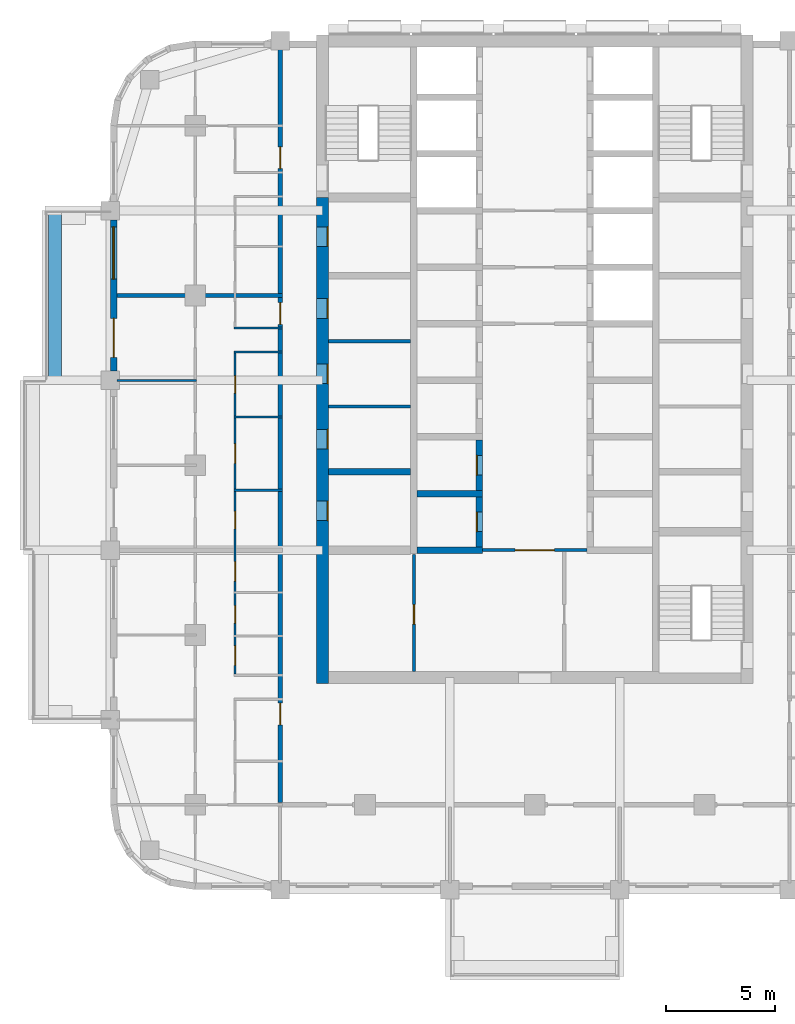
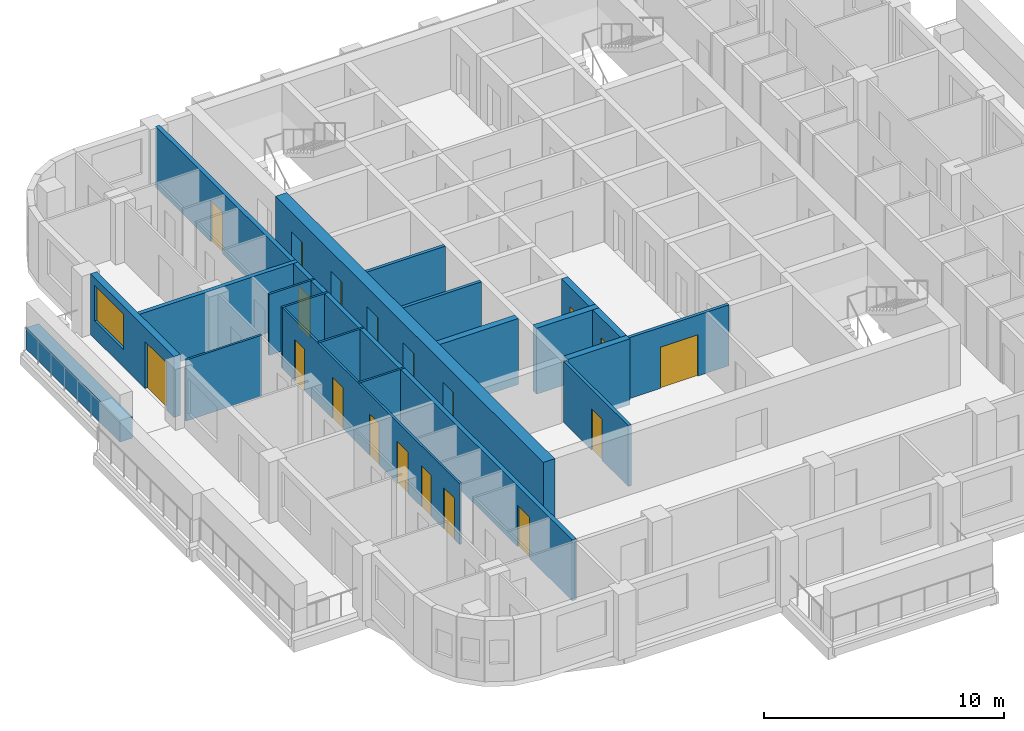
# One storey, part 4 of 14: 20 walls, 19 doors, 1 window, 20 openings.
"""IFC4 building model written with IfcOpenShell, lengths in metres."""

from ifc_helpers import new_model, si_unit, direction, frame, frame_2d, origin, place, context, subcontext, project, spatial, rectangle, extrude, material, layer, layer_set, type_object, element, fill, save


model = new_model("IFC4")

# Units and contexts
model_context = context("Model", 3, precision=1e-05, world=origin(), true_north=direction((0.0, 1.0)))
body_context = subcontext(model_context, "Body", "Model", "MODEL_VIEW")
ifc_project = project(units=[si_unit("LENGTHUNIT", "METRE"), si_unit("AREAUNIT", "SQUARE_METRE"), si_unit("VOLUMEUNIT", "CUBIC_METRE"), si_unit("PLANEANGLEUNIT", "RADIAN"), si_unit("MASSUNIT", "GRAM", prefix="KILO")], contexts=[model_context])

# Site, building, storey
site_placement = place(None, origin())
site = spatial("IfcSite", under=ifc_project, at=site_placement, CompositionType="ELEMENT")
building_placement = place(site_placement, origin())
building = spatial("IfcBuilding", under=site, at=building_placement, Name="Ludao Terraces", CompositionType="ELEMENT")
storey_placement = place(building_placement, frame((0.0, 0.0, 140.699951171875)))
storey = spatial("IfcBuildingStorey", under=building, at=storey_placement, Name="L38", CompositionType="ELEMENT", Elevation=140.699951171875)

# Wall, openings, doors
ifc_material_1 = material(Name="Concrete C60", Category="concrete")
ifc_layer_1 = layer(ifc_material_1, 0.550048828125)
ifc_layer_set_1 = layer_set([ifc_layer_1], Name="Core wall 550 C60")
wall_type_1 = type_object("IfcWallType", Name="Core wall 550 C60", PredefinedType="SOLIDWALL", material=ifc_layer_set_1)
wall_1_placement = place(storey_placement, frame((75.25, 54.97509765625, -0.25), z_axis=(0.0, 0.0, 1.0), x_axis=(0.0, 1.0, 0.0)))
wall_1 = element("IfcWall", 1, at=wall_1_placement, inside=storey, type_object=wall_type_1, Name="Core wall L38 outer-W", PredefinedType="SOLIDWALL", context=body_context, shape_type="SweptSolid", body=[
    extrude(rectangle(XDim=22.324951171875, YDim=0.550048828125, at=frame_2d((11.16259765625, 0.0))), origin(), (0.0, 0.0, 1.0), 3.35009765625),
])
opening_1_placement = place(wall_1_placement, frame((7.47509765625, 0.0, 0.25)))
opening_1 = element("IfcOpeningElement", 2, at=opening_1_placement, cuts=wall_1, Name="Opening R13-035", PredefinedType="OPENING", context=body_context, shape_type="SweptSolid", body=[
    extrude(rectangle(XDim=0.89990234375, YDim=2.10009765625, at=frame_2d((0.449951171875, 1.050048828125))), frame((0.0, 0.28515625, 0.0), z_axis=(0.0, -1.0, 0.0), x_axis=(1.0, 0.0, 0.0)), (0.0, 0.0, 1.0), 0.570068359375),
])
opening_2_placement = place(wall_1_placement, frame((10.77490234375, 0.0, 0.25)))
opening_2 = element("IfcOpeningElement", 3, at=opening_2_placement, cuts=wall_1, Name="Opening R13-043", PredefinedType="OPENING", context=body_context, shape_type="SweptSolid", body=[
    extrude(rectangle(XDim=0.89990234375, YDim=2.10009765625, at=frame_2d((0.449951171875, 1.050048828125))), frame((0.0, 0.28515625, 0.0), z_axis=(0.0, -1.0, 0.0), x_axis=(1.0, 0.0, 0.0)), (0.0, 0.0, 1.0), 0.570068359375),
])
opening_3_placement = place(wall_1_placement, frame((13.77490234375, 0.0, 0.25)))
opening_3 = element("IfcOpeningElement", 4, at=opening_3_placement, cuts=wall_1, Name="Opening R13-051", PredefinedType="OPENING", context=body_context, shape_type="SweptSolid", body=[
    extrude(rectangle(XDim=0.89990234375, YDim=2.10009765625, at=frame_2d((0.449951171875, 1.050048828125))), frame((0.0, 0.28515625, 0.0), z_axis=(0.0, -1.0, 0.0), x_axis=(1.0, 0.0, 0.0)), (0.0, 0.0, 1.0), 0.570068359375),
])
opening_4_placement = place(wall_1_placement, frame((16.77490234375, 0.0, 0.25)))
opening_4 = element("IfcOpeningElement", 5, at=opening_4_placement, cuts=wall_1, Name="Opening R13-062", PredefinedType="OPENING", context=body_context, shape_type="SweptSolid", body=[
    extrude(rectangle(XDim=0.89990234375, YDim=2.10009765625, at=frame_2d((0.449951171875, 1.050048828125))), frame((0.0, 0.28515625, 0.0), z_axis=(0.0, -1.0, 0.0), x_axis=(1.0, 0.0, 0.0)), (0.0, 0.0, 1.0), 0.570068359375),
])
opening_5_placement = place(wall_1_placement, frame((20.074951171875, 0.0, 0.25)))
opening_5 = element("IfcOpeningElement", 6, at=opening_5_placement, cuts=wall_1, Name="Opening R13-073", PredefinedType="OPENING", context=body_context, shape_type="SweptSolid", body=[
    extrude(rectangle(XDim=0.89990234375, YDim=2.10009765625, at=frame_2d((0.449951171875, 1.050048828125))), frame((0.0, 0.28515625, 0.0), z_axis=(0.0, -1.0, 0.0), x_axis=(1.0, 0.0, 0.0)), (0.0, 0.0, 1.0), 0.570068359375),
])
ifc_material_2 = material(Name="Steel Q235", Category="steel")
door_type_1 = type_object("IfcDoorType", Name="INT Riser door 900", OperationType="SINGLE_SWING_LEFT", PredefinedType="DOOR", material=ifc_material_2)
door_1_placement = place(opening_1_placement, origin())
door_1 = element("IfcDoor", 7, at=door_1_placement, inside=storey, type_object=door_type_1, Name="DOOR 035", OperationType="SINGLE_SWING_RIGHT", OverallHeight=2.10009765625, OverallWidth=0.89990234375, PredefinedType="DOOR", context=body_context, shape_type="SweptSolid", body=[
    extrude(rectangle(XDim=0.89990234375, YDim=2.10009765625, at=frame_2d((0.449951171875, 1.050048828125))), frame((0.0, -0.2099609375, 0.0), z_axis=(0.0, -1.0, 0.0), x_axis=(1.0, 0.0, 0.0)), (0.0, 0.0, 1.0), 0.050048828125),
])
fill(opening_1, door_1)
door_2_placement = place(opening_5_placement, origin())
door_2 = element("IfcDoor", 8, at=door_2_placement, inside=storey, type_object=door_type_1, Name="DOOR 073", OperationType="SINGLE_SWING_RIGHT", OverallHeight=2.10009765625, OverallWidth=0.89990234375, PredefinedType="DOOR", context=body_context, shape_type="SweptSolid", body=[
    extrude(rectangle(XDim=0.89990234375, YDim=2.10009765625, at=frame_2d((0.449951171875, 1.050048828125))), frame((0.0, -0.2099609375, 0.0), z_axis=(0.0, -1.0, 0.0), x_axis=(1.0, 0.0, 0.0)), (0.0, 0.0, 1.0), 0.050048828125),
])
fill(opening_5, door_2)
ifc_material_3 = material(Name="Timber door leaf", Category="wood")
door_type_2 = type_object("IfcDoorType", Name="INT Room door 900", OperationType="SINGLE_SWING_LEFT", PredefinedType="DOOR", material=ifc_material_3)
door_3_placement = place(opening_2_placement, origin())
door_3 = element("IfcDoor", 9, at=door_3_placement, inside=storey, type_object=door_type_2, Name="DOOR 043", OperationType="SINGLE_SWING_RIGHT", OverallHeight=2.10009765625, OverallWidth=0.89990234375, PredefinedType="DOOR", context=body_context, shape_type="SweptSolid", body=[
    extrude(rectangle(XDim=0.89990234375, YDim=2.10009765625, at=frame_2d((0.449951171875, 1.050048828125))), frame((0.0, -0.2099609375, 0.0), z_axis=(0.0, -1.0, 0.0), x_axis=(1.0, 0.0, 0.0)), (0.0, 0.0, 1.0), 0.050048828125),
])
fill(opening_2, door_3)
door_4_placement = place(opening_3_placement, origin())
door_4 = element("IfcDoor", 10, at=door_4_placement, inside=storey, type_object=door_type_2, Name="DOOR 051", OperationType="SINGLE_SWING_RIGHT", OverallHeight=2.10009765625, OverallWidth=0.89990234375, PredefinedType="DOOR", context=body_context, shape_type="SweptSolid", body=[
    extrude(rectangle(XDim=0.89990234375, YDim=2.10009765625, at=frame_2d((0.449951171875, 1.050048828125))), frame((0.0, -0.2099609375, 0.0), z_axis=(0.0, -1.0, 0.0), x_axis=(1.0, 0.0, 0.0)), (0.0, 0.0, 1.0), 0.050048828125),
])
fill(opening_3, door_4)
door_5_placement = place(opening_4_placement, origin())
door_5 = element("IfcDoor", 11, at=door_5_placement, inside=storey, type_object=door_type_2, Name="DOOR 062", OperationType="SINGLE_SWING_LEFT", OverallHeight=2.10009765625, OverallWidth=0.89990234375, PredefinedType="DOOR", context=body_context, shape_type="SweptSolid", body=[
    extrude(rectangle(XDim=0.89990234375, YDim=2.10009765625, at=frame_2d((0.449951171875, 1.050048828125))), frame((0.0, -0.2099609375, 0.0), z_axis=(0.0, -1.0, 0.0), x_axis=(1.0, 0.0, 0.0)), (0.0, 0.0, 1.0), 0.050048828125),
])
fill(opening_4, door_5)

# Wall
ifc_material_4 = material(Name="Concrete C40", Category="concrete")
ifc_layer_2 = layer(ifc_material_4, 0.60009765625)
ifc_layer_set_2 = layer_set([ifc_layer_2], Name="ENV Planter trough 600")
wall_type_2 = type_object("IfcWallType", Name="ENV Planter trough 600", PredefinedType="USERDEFINED", material=ifc_layer_set_2)
wall_2_placement = place(storey_placement, frame((62.949951171875, 68.89990234375, 0.0), z_axis=(0.0, 0.0, 1.0), x_axis=(0.0, 1.0, 0.0)))
element("IfcWall", 12, at=wall_2_placement, inside=storey, type_object=wall_type_2, Name="PL-L38-W3", ObjectType="PLANTER", PredefinedType="USERDEFINED", context=body_context, shape_type="SweptSolid", body=[
    extrude(rectangle(XDim=7.800048828125, YDim=0.60009765625, at=frame_2d((3.89990234375, 0.0))), origin(), (0.0, 0.0, 1.0), 1.10009765625),
])

# Wall, openings, door, window
ifc_material_5 = material(Name="Granite cladding", Category="masonry")
ifc_layer_3 = layer(ifc_material_5, 0.0400390625, Category="stone")
ifc_material_6 = material(Name="Mineral wool")
ifc_layer_4 = layer(ifc_material_6, 0.06005859375)
ifc_layer_5 = layer(ifc_material_4, 0.199951171875, Category="concrete")
ifc_layer_set_3 = layer_set([ifc_layer_3, ifc_layer_4, ifc_layer_5], Name="ENV Stone-clad wall 300")
wall_type_3 = type_object("IfcWallType", Name="ENV Stone-clad wall 300", PredefinedType="SOLIDWALL", material=ifc_layer_set_3)
wall_3_placement = place(storey_placement, frame((65.64990234375, 69.324951171875, 0.0), z_axis=(0.0, 0.0, 1.0), x_axis=(0.0, 1.0, 0.0)))
wall_3 = element("IfcWall", 13, at=wall_3_placement, inside=storey, type_object=wall_type_3, Name="EW-L38-W4", PredefinedType="SOLIDWALL", context=body_context, shape_type="SweptSolid", body=[
    extrude(rectangle(XDim=6.949951171875, YDim=0.300048828125, at=frame_2d((3.47509765625, 0.0))), origin(), (0.0, 0.0, 1.0), 3.10009765625),
])
opening_6_placement = place(wall_3_placement, frame((0.625, 0.0, 0.0)))
opening_6 = element("IfcOpeningElement", 14, at=opening_6_placement, cuts=wall_3, Name="Opening BD", PredefinedType="OPENING", context=body_context, shape_type="SweptSolid", body=[
    extrude(rectangle(XDim=1.800048828125, YDim=2.39990234375, at=frame_2d((0.89990234375, 1.199951171875))), frame((0.0, 0.16015625, 0.0), z_axis=(0.0, -1.0, 0.0), x_axis=(1.0, 0.0, 0.0)), (0.0, 0.0, 1.0), 0.320068359375),
])
opening_7_placement = place(wall_3_placement, frame((4.22509765625, 0.0, 0.89990234375)))
opening_7 = element("IfcOpeningElement", 15, at=opening_7_placement, cuts=wall_3, Name="Opening W1", PredefinedType="OPENING", context=body_context, shape_type="SweptSolid", body=[
    extrude(rectangle(XDim=2.39990234375, YDim=1.800048828125, at=frame_2d((1.199951171875, 0.89990234375))), frame((0.0, 0.16015625, 0.0), z_axis=(0.0, -1.0, 0.0), x_axis=(1.0, 0.0, 0.0)), (0.0, 0.0, 1.0), 0.320068359375),
])
ifc_material_7 = material(Name="Aluminium glazed door", Category="aluminium")
ifc_layer_6 = layer(ifc_material_7, 0.06005859375)
ifc_layer_set_4 = layer_set([ifc_layer_6], Name="ENV Balcony door BD 1800x2400")
door_type_3 = type_object("IfcDoorType", Name="ENV Balcony door BD 1800x2400", OperationType="DOUBLE_DOOR_SINGLE_SWING", PredefinedType="DOOR", material=ifc_layer_set_4)
door_6_placement = place(opening_6_placement, origin())
door_6 = element("IfcDoor", 16, at=door_6_placement, inside=storey, type_object=door_type_3, Name="BD-L38-W4-1", OperationType="DOUBLE_DOOR_SINGLE_SWING", OverallHeight=2.39990234375, OverallWidth=1.800048828125, PredefinedType="DOOR", context=body_context, shape_type="SweptSolid", body=[
    extrude(rectangle(XDim=1.800048828125, YDim=2.39990234375, at=frame_2d((0.89990234375, 1.199951171875))), frame((0.0, 0.02490234375, 0.0), z_axis=(0.0, -1.0, 0.0), x_axis=(1.0, 0.0, 0.0)), (0.0, 0.0, 1.0), 0.050048828125),
])
fill(opening_6, door_6)
ifc_material_8 = material(Name="Clear glass in aluminium frame", Category="aluminium")
ifc_layer_7 = layer(ifc_material_8, 0.06005859375)
ifc_layer_set_5 = layer_set([ifc_layer_7], Name="ENV Window W1 2400x1800")
window_type = type_object("IfcWindowType", Name="ENV Window W1 2400x1800", PartitioningType="DOUBLE_PANEL_VERTICAL", PredefinedType="WINDOW", material=ifc_layer_set_5)
window_placement = place(opening_7_placement, origin())
window = element("IfcWindow", 17, at=window_placement, inside=storey, type_object=window_type, Name="W-L38-W4-2", OverallHeight=1.800048828125, OverallWidth=2.39990234375, PartitioningType="DOUBLE_PANEL_VERTICAL", PredefinedType="WINDOW", context=body_context, shape_type="SweptSolid", body=[
    extrude(rectangle(XDim=2.39990234375, YDim=1.800048828125, at=frame_2d((1.199951171875, 0.89990234375))), frame((0.0, 0.030029296875, 0.0), z_axis=(0.0, -1.0, 0.0), x_axis=(1.0, 0.0, 0.0)), (0.0, 0.0, 1.0), 0.06005859375),
])
fill(opening_7, window)

# Wall, opening, door
ifc_material_9 = material(Name="Fire-rated gypsum plasterboard", Category="gypsum")
ifc_layer_8 = layer(ifc_material_9, 0.012451171875, Category="gypsum")
ifc_layer_9 = layer(ifc_material_6, 0.10009765625, Name="insulation")
ifc_layer_10 = layer(ifc_material_2, 0.02490234375, Name="stud")
ifc_layer_11 = layer(ifc_material_9, 0.012451171875, Category="gypsum")
ifc_layer_set_6 = layer_set([ifc_layer_8, ifc_layer_9, ifc_layer_10, ifc_layer_11], Name="INT Core partition 150")
wall_type_4 = type_object("IfcWallType", Name="INT Core partition 150", PredefinedType="PARTITIONING", material=ifc_layer_set_6)
wall_4_placement = place(storey_placement, frame((82.60009765625, 61.10009765625, 0.0), z_axis=(0.0, 0.0, 1.0), x_axis=(1.0, 0.0, 0.0)))
wall_4 = element("IfcWall", 18, at=wall_4_placement, inside=storey, type_object=wall_type_4, Name="PW-L38-PW018", PredefinedType="PARTITIONING", context=body_context, shape_type="SweptSolid", body=[
    extrude(rectangle(XDim=4.800048828125, YDim=0.14990234375, at=frame_2d((2.39990234375, 0.0))), origin(), (0.0, 0.0, 1.0), 3.10009765625),
])
opening_8_placement = place(wall_4_placement, frame((1.5, 0.0, 0.0)))
opening_8 = element("IfcOpeningElement", 19, at=opening_8_placement, cuts=wall_4, Name="Opening R13-030", PredefinedType="OPENING", context=body_context, shape_type="SweptSolid", body=[
    extrude(rectangle(XDim=1.800048828125, YDim=2.10009765625, at=frame_2d((0.89990234375, 1.050048828125))), frame((0.0, 0.0849609375, 0.0), z_axis=(0.0, -1.0, 0.0), x_axis=(1.0, 0.0, 0.0)), (0.0, 0.0, 1.0), 0.169921875),
])
door_type_4 = type_object("IfcDoorType", Name="INT Fire lobby door 1800", OperationType="DOUBLE_DOOR_SINGLE_SWING", PredefinedType="DOOR", material=ifc_material_2)
door_7_placement = place(opening_8_placement, origin())
door_7 = element("IfcDoor", 20, at=door_7_placement, inside=storey, type_object=door_type_4, Name="DOOR 030", OperationType="DOUBLE_DOOR_SINGLE_SWING", OverallHeight=2.10009765625, OverallWidth=1.800048828125, PredefinedType="DOOR", context=body_context, shape_type="SweptSolid", body=[
    extrude(rectangle(XDim=1.800048828125, YDim=2.10009765625, at=frame_2d((0.89990234375, 1.050048828125))), frame((0.0, 0.02490234375, 0.0), z_axis=(0.0, -1.0, 0.0), x_axis=(1.0, 0.0, 0.0)), (0.0, 0.0, 1.0), 0.050048828125),
])
fill(opening_8, door_7)

# Walls
for number, where, z_axis, x_axis, name in (
    (21, (75.525146484375, 67.699951171875, 0.0), (0.0, 0.0, 1.0), (1.0, 0.0, 0.0), "PW-L38-PW026"),
    (22, (75.525146484375, 70.699951171875, 0.0), (0.0, 0.0, 1.0), (1.0, 0.0, 0.0), "PW-L38-PW032"),
):
    element("IfcWall", number, at=place(storey_placement, frame(where, z_axis=z_axis, x_axis=x_axis)), inside=storey, type_object=wall_type_4, Name=name, PredefinedType="PARTITIONING", context=body_context, shape_type="SweptSolid", body=[
        extrude(rectangle(XDim=3.77490234375, YDim=0.14990234375, at=frame_2d((1.887451171875, 0.0))), origin(), (0.0, 0.0, 1.0), 3.10009765625),
    ])

# Wall, opening, door
wall_5_placement = place(storey_placement, frame((79.449951171875, 55.525146484375, 0.0), z_axis=(0.0, 0.0, 1.0), x_axis=(0.0, 1.0, 0.0)))
wall_5 = element("IfcWall", 23, at=wall_5_placement, inside=storey, type_object=wall_type_4, Name="PW-L38-PW058", PredefinedType="PARTITIONING", context=body_context, shape_type="SweptSolid", body=[
    extrude(rectangle(XDim=5.375, YDim=0.14990234375, at=frame_2d((2.6875, 0.0))), origin(), (0.0, 0.0, 1.0), 3.10009765625),
])
opening_9_placement = place(wall_5_placement, frame((2.175048828125, 0.0, 0.0)))
opening_9 = element("IfcOpeningElement", 24, at=opening_9_placement, cuts=wall_5, Name="Opening R13-023", PredefinedType="OPENING", context=body_context, shape_type="SweptSolid", body=[
    extrude(rectangle(XDim=0.89990234375, YDim=2.10009765625, at=frame_2d((0.449951171875, 1.050048828125))), frame((0.0, 0.0849609375, 0.0), z_axis=(0.0, -1.0, 0.0), x_axis=(1.0, 0.0, 0.0)), (0.0, 0.0, 1.0), 0.169921875),
])
door_8_placement = place(opening_9_placement, origin())
door_8 = element("IfcDoor", 25, at=door_8_placement, inside=storey, type_object=door_type_2, Name="DOOR 023", OperationType="SINGLE_SWING_LEFT", OverallHeight=2.10009765625, OverallWidth=0.89990234375, PredefinedType="DOOR", context=body_context, shape_type="SweptSolid", body=[
    extrude(rectangle(XDim=0.89990234375, YDim=2.10009765625, at=frame_2d((0.449951171875, 1.050048828125))), frame((0.0, 0.02490234375, 0.0), z_axis=(0.0, -1.0, 0.0), x_axis=(1.0, 0.0, 0.0)), (0.0, 0.0, 1.0), 0.050048828125),
])
fill(opening_9, door_8)

# Wall, openings, doors
ifc_material_10 = material(Name="Autoclaved aerated concrete block B06 A3.5", Category="concrete")
ifc_layer_12 = layer(ifc_material_10, 0.199951171875)
ifc_layer_set_7 = layer_set([ifc_layer_12], Name="INT Entrance wall 200")
wall_type_5 = type_object("IfcWallType", Name="INT Entrance wall 200", PredefinedType="PARTITIONING", material=ifc_layer_set_7)
wall_6_placement = place(storey_placement, frame((73.300048828125, 49.5, 0.0), z_axis=(0.0, 0.0, 1.0), x_axis=(0.0, 1.0, 0.0)))
wall_6 = element("IfcWall", 26, at=wall_6_placement, inside=storey, type_object=wall_type_5, Name="PW-L38-PW057", PredefinedType="PARTITIONING", context=body_context, shape_type="SweptSolid", body=[
    extrude(rectangle(XDim=34.7001953125, YDim=0.199951171875, at=frame_2d((17.35009765625, 0.0))), origin(), (0.0, 0.0, 1.0), 3.10009765625),
])
opening_10_placement = place(wall_6_placement, frame((3.5751953125, 0.0, 0.0)))
opening_10 = element("IfcOpeningElement", 27, at=opening_10_placement, cuts=wall_6, Name="Opening R13-014", PredefinedType="OPENING", context=body_context, shape_type="SweptSolid", body=[
    extrude(rectangle(XDim=1.0, YDim=2.10009765625, at=frame_2d((0.5, 1.050048828125))), frame((0.0, 0.10986328125, 0.0), z_axis=(0.0, -1.0, 0.0), x_axis=(1.0, 0.0, 0.0)), (0.0, 0.0, 1.0), 0.219970703125),
])
opening_11_placement = place(wall_6_placement, frame((21.97509765625, 0.0, 0.0)))
opening_11 = element("IfcOpeningElement", 28, at=opening_11_placement, cuts=wall_6, Name="Opening R13-060", PredefinedType="OPENING", context=body_context, shape_type="SweptSolid", body=[
    extrude(rectangle(XDim=1.0, YDim=2.10009765625, at=frame_2d((0.5, 1.050048828125))), frame((0.0, 0.10986328125, 0.0), z_axis=(0.0, -1.0, 0.0), x_axis=(1.0, 0.0, 0.0)), (0.0, 0.0, 1.0), 0.219970703125),
])
opening_12_placement = place(wall_6_placement, frame((29.125, 0.0, 0.0)))
opening_12 = element("IfcOpeningElement", 29, at=opening_12_placement, cuts=wall_6, Name="Opening R13-084", PredefinedType="OPENING", context=body_context, shape_type="SweptSolid", body=[
    extrude(rectangle(XDim=1.0, YDim=2.10009765625, at=frame_2d((0.5, 1.050048828125))), frame((0.0, 0.10986328125, 0.0), z_axis=(0.0, -1.0, 0.0), x_axis=(1.0, 0.0, 0.0)), (0.0, 0.0, 1.0), 0.219970703125),
])
door_type_5 = type_object("IfcDoorType", Name="INT Flat entrance door 1000", OperationType="SINGLE_SWING_LEFT", PredefinedType="DOOR", material=ifc_material_2)
door_9_placement = place(opening_10_placement, origin())
door_9 = element("IfcDoor", 30, at=door_9_placement, inside=storey, type_object=door_type_5, Name="DOOR 014", OperationType="SINGLE_SWING_LEFT", OverallHeight=2.10009765625, OverallWidth=1.0, PredefinedType="DOOR", context=body_context, shape_type="SweptSolid", body=[
    extrude(rectangle(XDim=1.0, YDim=2.10009765625, at=frame_2d((0.5, 1.050048828125))), frame((0.0, 0.02490234375, 0.0), z_axis=(0.0, -1.0, 0.0), x_axis=(1.0, 0.0, 0.0)), (0.0, 0.0, 1.0), 0.050048828125),
])
fill(opening_10, door_9)
door_10_placement = place(opening_11_placement, origin())
door_10 = element("IfcDoor", 31, at=door_10_placement, inside=storey, type_object=door_type_5, Name="DOOR 060", OperationType="SINGLE_SWING_RIGHT", OverallHeight=2.10009765625, OverallWidth=1.0, PredefinedType="DOOR", context=body_context, shape_type="SweptSolid", body=[
    extrude(rectangle(XDim=1.0, YDim=2.10009765625, at=frame_2d((0.5, 1.050048828125))), frame((0.0, 0.02490234375, 0.0), z_axis=(0.0, -1.0, 0.0), x_axis=(1.0, 0.0, 0.0)), (0.0, 0.0, 1.0), 0.050048828125),
])
fill(opening_11, door_10)
door_11_placement = place(opening_12_placement, origin())
door_11 = element("IfcDoor", 32, at=door_11_placement, inside=storey, type_object=door_type_5, Name="DOOR 084", OperationType="SINGLE_SWING_RIGHT", OverallHeight=2.10009765625, OverallWidth=1.0, PredefinedType="DOOR", context=body_context, shape_type="SweptSolid", body=[
    extrude(rectangle(XDim=1.0, YDim=2.10009765625, at=frame_2d((0.5, 1.050048828125))), frame((0.0, 0.02490234375, 0.0), z_axis=(0.0, -1.0, 0.0), x_axis=(1.0, 0.0, 0.0)), (0.0, 0.0, 1.0), 0.050048828125),
])
fill(opening_12, door_11)

# Walls
ifc_material_11 = material(Name="Gypsum plasterboard", Category="gypsum")
ifc_layer_13 = layer(ifc_material_11, 0.012451171875, Category="gypsum")
ifc_layer_14 = layer(ifc_material_6, 0.06005859375, Name="insulation")
ifc_layer_15 = layer(ifc_material_2, 0.014892578125, Name="stud")
ifc_layer_16 = layer(ifc_material_11, 0.012451171875, Category="gypsum")
ifc_layer_set_8 = layer_set([ifc_layer_13, ifc_layer_14, ifc_layer_15, ifc_layer_16], Name="INT Partition 100")
wall_type_6 = type_object("IfcWallType", Name="INT Partition 100", PredefinedType="PARTITIONING", material=ifc_layer_set_8)
for number, where, z_axis, x_axis, name in (
    (33, (71.18017578125, 63.85009765625, 0.0), (0.0, 0.0, 1.0), (1.0, 0.0, 0.0), "PW-L38-PW020"),
    (34, (71.18017578125, 67.219970703125, 0.0), (0.0, 0.0, 1.0), (1.0, 0.0, 0.0), "PW-L38-PW025"),
):
    element("IfcWall", number, at=place(storey_placement, frame(where, z_axis=z_axis, x_axis=x_axis)), inside=storey, type_object=wall_type_6, Name=name, PredefinedType="PARTITIONING", context=body_context, shape_type="SweptSolid", body=[
        extrude(rectangle(XDim=2.219970703125, YDim=0.10009765625, at=frame_2d((1.10986328125, 0.0))), origin(), (0.0, 0.0, 1.0), 3.10009765625),
    ])
wall_7_placement = place(storey_placement, frame((65.800048828125, 68.89990234375, 0.0), z_axis=(0.0, 0.0, 1.0), x_axis=(1.0, 0.0, 0.0)))
element("IfcWall", 35, at=wall_7_placement, inside=storey, type_object=wall_type_6, Name="PW-L38-PW028", PredefinedType="PARTITIONING", context=body_context, shape_type="SweptSolid", body=[
    extrude(rectangle(XDim=3.650146484375, YDim=0.10009765625, at=frame_2d((1.8251953125, 0.0))), origin(), (0.0, 0.0, 1.0), 3.10009765625),
])
for number, where, z_axis, x_axis, name in (
    (36, (71.18017578125, 70.199951171875, 0.0), (0.0, 0.0, 1.0), (1.0, 0.0, 0.0), "PW-L38-PW031"),
    (37, (71.18017578125, 71.300048828125, 0.0), (0.0, 0.0, 1.0), (1.0, 0.0, 0.0), "PW-L38-PW035"),
):
    element("IfcWall", number, at=place(storey_placement, frame(where, z_axis=z_axis, x_axis=x_axis)), inside=storey, type_object=wall_type_6, Name=name, PredefinedType="PARTITIONING", context=body_context, shape_type="SweptSolid", body=[
        extrude(rectangle(XDim=2.219970703125, YDim=0.10009765625, at=frame_2d((1.10986328125, 0.0))), origin(), (0.0, 0.0, 1.0), 3.10009765625),
    ])

# Wall, openings, doors
wall_8_placement = place(storey_placement, frame((71.22998046875, 55.400146484375, 0.0), z_axis=(0.0, 0.0, 1.0), x_axis=(0.0, 1.0, 0.0)))
wall_8 = element("IfcWall", 38, at=wall_8_placement, inside=storey, type_object=wall_type_6, Name="PW-L38-PW053", PredefinedType="PARTITIONING", context=body_context, shape_type="SweptSolid", body=[
    extrude(rectangle(XDim=14.75, YDim=0.10009765625, at=frame_2d((7.375, 0.0))), origin(), (0.0, 0.0, 1.0), 3.10009765625),
])
opening_13_placement = place(wall_8_placement, frame((0.39990234375, 0.0, 0.0)))
opening_13 = element("IfcOpeningElement", 39, at=opening_13_placement, cuts=wall_8, Name="Opening R13-019", PredefinedType="OPENING", context=body_context, shape_type="SweptSolid", body=[
    extrude(rectangle(XDim=0.89990234375, YDim=2.10009765625, at=frame_2d((0.449951171875, 1.050048828125))), frame((0.0, 0.06005859375, 0.0), z_axis=(0.0, -1.0, 0.0), x_axis=(1.0, 0.0, 0.0)), (0.0, 0.0, 1.0), 0.1201171875),
])
opening_14_placement = place(wall_8_placement, frame((2.35009765625, 0.0, 0.0)))
opening_14 = element("IfcOpeningElement", 40, at=opening_14_placement, cuts=wall_8, Name="Opening R13-022", PredefinedType="OPENING", context=body_context, shape_type="SweptSolid", body=[
    extrude(rectangle(XDim=0.800048828125, YDim=2.10009765625, at=frame_2d((0.39990234375, 1.050048828125))), frame((0.0, 0.06005859375, 0.0), z_axis=(0.0, -1.0, 0.0), x_axis=(1.0, 0.0, 0.0)), (0.0, 0.0, 1.0), 0.1201171875),
])
opening_15_placement = place(wall_8_placement, frame((4.27490234375, 0.0, 0.0)))
opening_15 = element("IfcOpeningElement", 41, at=opening_15_placement, cuts=wall_8, Name="Opening R13-028", PredefinedType="OPENING", context=body_context, shape_type="SweptSolid", body=[
    extrude(rectangle(XDim=0.89990234375, YDim=2.10009765625, at=frame_2d((0.449951171875, 1.050048828125))), frame((0.0, 0.06005859375, 0.0), z_axis=(0.0, -1.0, 0.0), x_axis=(1.0, 0.0, 0.0)), (0.0, 0.0, 1.0), 0.1201171875),
])
opening_16_placement = place(wall_8_placement, frame((6.675048828125, 0.0, 0.0)))
opening_16 = element("IfcOpeningElement", 42, at=opening_16_placement, cuts=wall_8, Name="Opening R13-033", PredefinedType="OPENING", context=body_context, shape_type="SweptSolid", body=[
    extrude(rectangle(XDim=0.800048828125, YDim=2.10009765625, at=frame_2d((0.39990234375, 1.050048828125))), frame((0.0, 0.06005859375, 0.0), z_axis=(0.0, -1.0, 0.0), x_axis=(1.0, 0.0, 0.0)), (0.0, 0.0, 1.0), 0.1201171875),
])
opening_17_placement = place(wall_8_placement, frame((9.68505859375, 0.0, 0.0)))
opening_17 = element("IfcOpeningElement", 43, at=opening_17_placement, cuts=wall_8, Name="Opening R13-042", PredefinedType="OPENING", context=body_context, shape_type="SweptSolid", body=[
    extrude(rectangle(XDim=0.89990234375, YDim=2.10009765625, at=frame_2d((0.449951171875, 1.050048828125))), frame((0.0, 0.06005859375, 0.0), z_axis=(0.0, -1.0, 0.0), x_axis=(1.0, 0.0, 0.0)), (0.0, 0.0, 1.0), 0.1201171875),
])
opening_18_placement = place(wall_8_placement, frame((12.909912109375, 0.0, 0.0)))
opening_18 = element("IfcOpeningElement", 44, at=opening_18_placement, cuts=wall_8, Name="Opening R13-050", PredefinedType="OPENING", context=body_context, shape_type="SweptSolid", body=[
    extrude(rectangle(XDim=0.800048828125, YDim=2.10009765625, at=frame_2d((0.39990234375, 1.050048828125))), frame((0.0, 0.06005859375, 0.0), z_axis=(0.0, -1.0, 0.0), x_axis=(1.0, 0.0, 0.0)), (0.0, 0.0, 1.0), 0.1201171875),
])
door_type_6 = type_object("IfcDoorType", Name="INT Bathroom door 900", OperationType="SINGLE_SWING_LEFT", PredefinedType="DOOR", material=ifc_material_3)
door_12_placement = place(opening_13_placement, origin())
door_12 = element("IfcDoor", 45, at=door_12_placement, inside=storey, type_object=door_type_6, Name="DOOR 019", OperationType="SINGLE_SWING_RIGHT", OverallHeight=2.10009765625, OverallWidth=0.89990234375, PredefinedType="DOOR", context=body_context, shape_type="SweptSolid", body=[
    extrude(rectangle(XDim=0.89990234375, YDim=2.10009765625, at=frame_2d((0.449951171875, 1.050048828125))), frame((0.0, 0.02490234375, 0.0), z_axis=(0.0, -1.0, 0.0), x_axis=(1.0, 0.0, 0.0)), (0.0, 0.0, 1.0), 0.050048828125),
])
fill(opening_13, door_12)
door_13_placement = place(opening_15_placement, origin())
door_13 = element("IfcDoor", 46, at=door_13_placement, inside=storey, type_object=door_type_6, Name="DOOR 028", OperationType="SINGLE_SWING_RIGHT", OverallHeight=2.10009765625, OverallWidth=0.89990234375, PredefinedType="DOOR", context=body_context, shape_type="SweptSolid", body=[
    extrude(rectangle(XDim=0.89990234375, YDim=2.10009765625, at=frame_2d((0.449951171875, 1.050048828125))), frame((0.0, 0.02490234375, 0.0), z_axis=(0.0, -1.0, 0.0), x_axis=(1.0, 0.0, 0.0)), (0.0, 0.0, 1.0), 0.050048828125),
])
fill(opening_15, door_13)
door_14_placement = place(opening_17_placement, origin())
door_14 = element("IfcDoor", 47, at=door_14_placement, inside=storey, type_object=door_type_2, Name="DOOR 042", OperationType="SINGLE_SWING_RIGHT", OverallHeight=2.10009765625, OverallWidth=0.89990234375, PredefinedType="DOOR", context=body_context, shape_type="SweptSolid", body=[
    extrude(rectangle(XDim=0.89990234375, YDim=2.10009765625, at=frame_2d((0.449951171875, 1.050048828125))), frame((0.0, 0.02490234375, 0.0), z_axis=(0.0, -1.0, 0.0), x_axis=(1.0, 0.0, 0.0)), (0.0, 0.0, 1.0), 0.050048828125),
])
fill(opening_17, door_14)
door_type_7 = type_object("IfcDoorType", Name="INT Store door 800", OperationType="SINGLE_SWING_LEFT", PredefinedType="DOOR", material=ifc_material_3)
door_15_placement = place(opening_14_placement, origin())
door_15 = element("IfcDoor", 48, at=door_15_placement, inside=storey, type_object=door_type_7, Name="DOOR 022", OperationType="SINGLE_SWING_RIGHT", OverallHeight=2.10009765625, OverallWidth=0.800048828125, PredefinedType="DOOR", context=body_context, shape_type="SweptSolid", body=[
    extrude(rectangle(XDim=0.800048828125, YDim=2.10009765625, at=frame_2d((0.39990234375, 1.050048828125))), frame((0.0, 0.02490234375, 0.0), z_axis=(0.0, -1.0, 0.0), x_axis=(1.0, 0.0, 0.0)), (0.0, 0.0, 1.0), 0.050048828125),
])
fill(opening_14, door_15)
door_16_placement = place(opening_16_placement, origin())
door_16 = element("IfcDoor", 49, at=door_16_placement, inside=storey, type_object=door_type_7, Name="DOOR 033", OperationType="SINGLE_SWING_RIGHT", OverallHeight=2.10009765625, OverallWidth=0.800048828125, PredefinedType="DOOR", context=body_context, shape_type="SweptSolid", body=[
    extrude(rectangle(XDim=0.800048828125, YDim=2.10009765625, at=frame_2d((0.39990234375, 1.050048828125))), frame((0.0, 0.02490234375, 0.0), z_axis=(0.0, -1.0, 0.0), x_axis=(1.0, 0.0, 0.0)), (0.0, 0.0, 1.0), 0.050048828125),
])
fill(opening_16, door_16)
door_17_placement = place(opening_18_placement, origin())
door_17 = element("IfcDoor", 50, at=door_17_placement, inside=storey, type_object=door_type_7, Name="DOOR 050", OperationType="SINGLE_SWING_RIGHT", OverallHeight=2.10009765625, OverallWidth=0.800048828125, PredefinedType="DOOR", context=body_context, shape_type="SweptSolid", body=[
    extrude(rectangle(XDim=0.800048828125, YDim=2.10009765625, at=frame_2d((0.39990234375, 1.050048828125))), frame((0.0, 0.02490234375, 0.0), z_axis=(0.0, -1.0, 0.0), x_axis=(1.0, 0.0, 0.0)), (0.0, 0.0, 1.0), 0.050048828125),
])
fill(opening_18, door_17)

# Walls
ifc_layer_17 = layer(ifc_material_10, 0.199951171875)
ifc_layer_set_9 = layer_set([ifc_layer_17], Name="INT Party wall 200")
wall_type_7 = type_object("IfcWallType", Name="INT Party wall 200", PredefinedType="PARTITIONING", material=ifc_layer_set_9)
wall_9_placement = place(storey_placement, frame((65.800048828125, 72.800048828125, 0.0), z_axis=(0.0, 0.0, 1.0), x_axis=(1.0, 0.0, 0.0)))
element("IfcWall", 51, at=wall_9_placement, inside=storey, type_object=wall_type_7, Name="PW-L38-PW037", PredefinedType="PARTITIONING", context=body_context, shape_type="SweptSolid", body=[
    extrude(rectangle(XDim=7.60009765625, YDim=0.199951171875, at=frame_2d((3.800048828125, 0.0))), origin(), (0.0, 0.0, 1.0), 3.10009765625),
])
ifc_material_12 = material(Name="Concrete C55", Category="concrete")
ifc_layer_18 = layer(ifc_material_12, 0.300048828125)
ifc_layer_set_10 = layer_set([ifc_layer_18], Name="Shaft wall 300 C55")
wall_type_8 = type_object("IfcWallType", Name="Shaft wall 300 C55", PredefinedType="SOLIDWALL", material=ifc_layer_set_10)
wall_10_placement = place(storey_placement, frame((79.60009765625, 61.10009765625, -0.25), z_axis=(0.0, 0.0, 1.0), x_axis=(1.0, 0.0, 0.0)))
element("IfcWall", 52, at=wall_10_placement, inside=storey, type_object=wall_type_8, Name="Core wall L38 div-W1", PredefinedType="SOLIDWALL", context=body_context, shape_type="SweptSolid", body=[
    extrude(rectangle(XDim=3.0, YDim=0.300048828125, at=frame_2d((1.5, 0.0))), origin(), (0.0, 0.0, 1.0), 3.35009765625),
])

# Wall, opening, door
wall_11_placement = place(storey_placement, frame((82.449951171875, 61.25, -0.25), z_axis=(0.0, 0.0, 1.0), x_axis=(0.0, 1.0, 0.0)))
wall_11 = element("IfcWall", 53, at=wall_11_placement, inside=storey, type_object=wall_type_8, Name="Core wall L38 front-W1", PredefinedType="SOLIDWALL", context=body_context, shape_type="SweptSolid", body=[
    extrude(rectangle(XDim=2.300048828125, YDim=0.300048828125, at=frame_2d((1.14990234375, 0.0))), origin(), (0.0, 0.0, 1.0), 3.35009765625),
])
opening_19_placement = place(wall_11_placement, frame((0.699951171875, 0.0, 0.25)))
opening_19 = element("IfcOpeningElement", 54, at=opening_19_placement, cuts=wall_11, Name="Opening R13-031", PredefinedType="OPENING", context=body_context, shape_type="SweptSolid", body=[
    extrude(rectangle(XDim=0.89990234375, YDim=2.10009765625, at=frame_2d((0.449951171875, 1.050048828125))), frame((0.0, 0.16015625, 0.0), z_axis=(0.0, -1.0, 0.0), x_axis=(1.0, 0.0, 0.0)), (0.0, 0.0, 1.0), 0.320068359375),
])
door_18_placement = place(opening_19_placement, origin())
door_18 = element("IfcDoor", 55, at=door_18_placement, inside=storey, type_object=door_type_2, Name="DOOR 031", OperationType="SINGLE_SWING_RIGHT", OverallHeight=2.10009765625, OverallWidth=0.89990234375, PredefinedType="DOOR", context=body_context, shape_type="SweptSolid", body=[
    extrude(rectangle(XDim=0.89990234375, YDim=2.10009765625, at=frame_2d((0.449951171875, 1.050048828125))), frame((0.0, 0.13525390625, 0.0), z_axis=(0.0, -1.0, 0.0), x_axis=(1.0, 0.0, 0.0)), (0.0, 0.0, 1.0), 0.050048828125),
])
fill(opening_19, door_18)

# Wall
wall_12_placement = place(storey_placement, frame((79.60009765625, 63.699951171875, -0.25), z_axis=(0.0, 0.0, 1.0), x_axis=(1.0, 0.0, 0.0)))
element("IfcWall", 56, at=wall_12_placement, inside=storey, type_object=wall_type_8, Name="Core wall L38 div-W2", PredefinedType="SOLIDWALL", context=body_context, shape_type="SweptSolid", body=[
    extrude(rectangle(XDim=3.0, YDim=0.300048828125, at=frame_2d((1.5, 0.0))), origin(), (0.0, 0.0, 1.0), 3.35009765625),
])

# Wall, opening, door
wall_13_placement = place(storey_placement, frame((82.449951171875, 63.85009765625, -0.25), z_axis=(0.0, 0.0, 1.0), x_axis=(0.0, 1.0, 0.0)))
wall_13 = element("IfcWall", 57, at=wall_13_placement, inside=storey, type_object=wall_type_8, Name="Core wall L38 front-W2", PredefinedType="SOLIDWALL", context=body_context, shape_type="SweptSolid", body=[
    extrude(rectangle(XDim=2.2998046875, YDim=0.300048828125, at=frame_2d((1.14990234375, 0.0))), origin(), (0.0, 0.0, 1.0), 3.35009765625),
])
opening_20_placement = place(wall_13_placement, frame((0.699951171875, 0.0, 0.25)))
opening_20 = element("IfcOpeningElement", 58, at=opening_20_placement, cuts=wall_13, Name="Opening R13-039", PredefinedType="OPENING", context=body_context, shape_type="SweptSolid", body=[
    extrude(rectangle(XDim=0.89990234375, YDim=2.10009765625, at=frame_2d((0.449951171875, 1.050048828125))), frame((0.0, 0.16015625, 0.0), z_axis=(0.0, -1.0, 0.0), x_axis=(1.0, 0.0, 0.0)), (0.0, 0.0, 1.0), 0.320068359375),
])
door_19_placement = place(opening_20_placement, origin())
door_19 = element("IfcDoor", 59, at=door_19_placement, inside=storey, type_object=door_type_2, Name="DOOR 039", OperationType="SINGLE_SWING_LEFT", OverallHeight=2.10009765625, OverallWidth=0.89990234375, PredefinedType="DOOR", context=body_context, shape_type="SweptSolid", body=[
    extrude(rectangle(XDim=0.89990234375, YDim=2.10009765625, at=frame_2d((0.449951171875, 1.050048828125))), frame((0.0, 0.13525390625, 0.0), z_axis=(0.0, -1.0, 0.0), x_axis=(1.0, 0.0, 0.0)), (0.0, 0.0, 1.0), 0.050048828125),
])
fill(opening_20, door_19)

# Wall
wall_14_placement = place(storey_placement, frame((75.52490234375, 64.699951171875, -0.25), z_axis=(0.0, 0.0, 1.0), x_axis=(1.0, 0.0, 0.0)))
element("IfcWall", 60, at=wall_14_placement, inside=storey, type_object=wall_type_8, Name="Core wall L38 riser-a-W", PredefinedType="SOLIDWALL", context=body_context, shape_type="SweptSolid", body=[
    extrude(rectangle(XDim=3.775146484375, YDim=0.300048828125, at=frame_2d((1.8876953125, 0.0))), origin(), (0.0, 0.0, 1.0), 3.35009765625),
])

save(model, "model.ifc")
